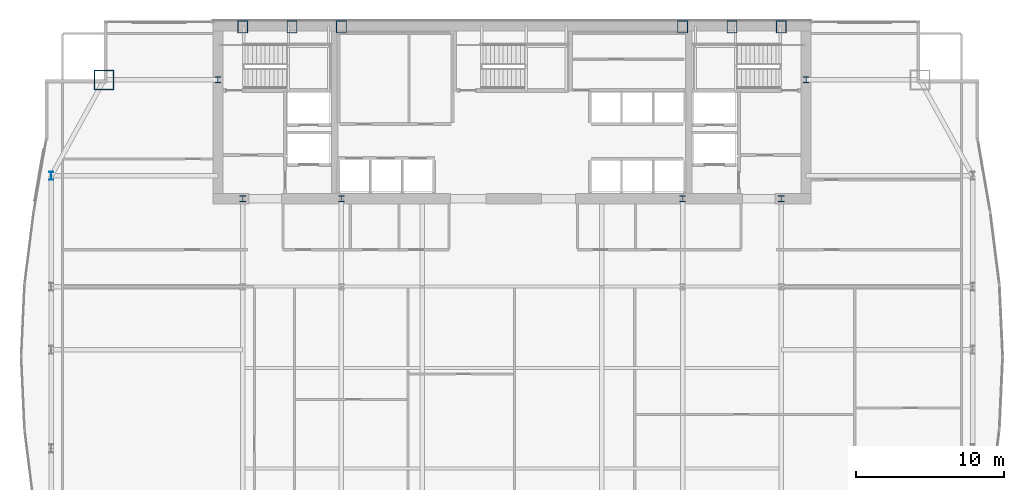
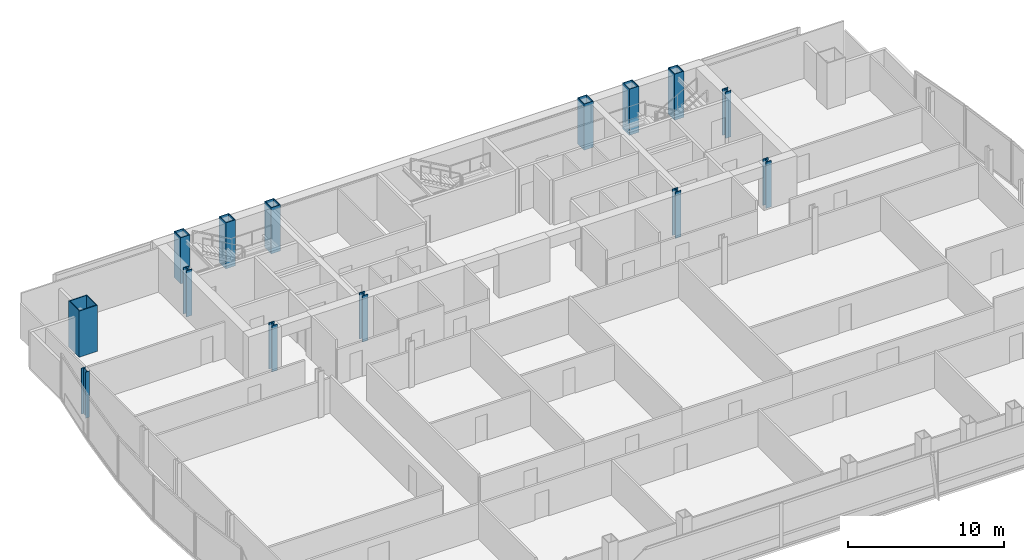
# One storey, part 3 of 29: 14 columns.
"""IFC4 building model written with IfcOpenShell, lengths in metres."""

from ifc_helpers import new_model, si_unit, direction, frame, origin, origin_2d, place, context, subcontext, project, spatial, hollow_rectangle, i_section, extrude, material, material_profile, profile_set, type_object, element, save


model = new_model("IFC4")

# Units and contexts
model_context = context("Model", 3, precision=1e-05, world=origin(), true_north=direction((0.0, 1.0)))
body_context = subcontext(model_context, "Body", "Model", "MODEL_VIEW")
ifc_project = project(units=[si_unit("LENGTHUNIT", "METRE"), si_unit("AREAUNIT", "SQUARE_METRE"), si_unit("VOLUMEUNIT", "CUBIC_METRE"), si_unit("PLANEANGLEUNIT", "RADIAN"), si_unit("MASSUNIT", "GRAM", prefix="KILO")], contexts=[model_context])

# Site, building, storey
site_placement = place(None, origin())
site = spatial("IfcSite", under=ifc_project, at=site_placement, CompositionType="ELEMENT")
building_placement = place(site_placement, origin())
building = spatial("IfcBuilding", under=site, at=building_placement, Name="Khoronbel Lancet Exchange", CompositionType="ELEMENT")
storey_placement = place(building_placement, frame((0.0, 0.0, 150.60009765625)))
storey = spatial("IfcBuildingStorey", under=building, at=storey_placement, Name="L37", CompositionType="ELEMENT", Elevation=150.60009765625)

# Columns
ifc_material_1 = material(Name="Steel S460", Category="steel")
ifc_material_profile_1 = material_profile(ifc_material_1, hollow_rectangle(XDim=0.699951171875, YDim=0.85009765625, WallThickness=0.050048828125, at=origin_2d()), Name="BOX 850x700x50")
ifc_profile_set_1 = profile_set([ifc_material_profile_1], Name="Steel S460")
column_type_1 = type_object("IfcColumnType", Name="COL-EC2", PredefinedType="COLUMN", material=ifc_profile_set_1)
for number, where, z_axis, x_axis, name in (
    (1, (18.22509765625, 53.280029296875, 0.0), (0.0, 0.0, 1.0), (1.0, 0.0, 0.0), "Structural column NC-W1 L37"),
    (2, (21.5625, 53.280029296875, 0.0), (0.0, 0.0, 1.0), (1.0, 0.0, 0.0), "Structural column NC-WM L37"),
    (3, (24.89990234375, 53.280029296875, 0.0), (0.0, 0.0, 1.0), (1.0, 0.0, 0.0), "Structural column NC-W2 L37"),
    (4, (48.0, 53.280029296875, 0.0), (0.0, 0.0, 1.0), (1.0, 0.0, 0.0), "Structural column NC-E1 L37"),
    (5, (51.33740234375, 53.280029296875, 0.0), (0.0, 0.0, 1.0), (1.0, 0.0, 0.0), "Structural column NC-EM L37"),
    (6, (54.675048828125, 53.280029296875, 0.0), (0.0, 0.0, 1.0), (1.0, 0.0, 0.0), "Structural column NC-E2 L37"),
):
    element("IfcColumn", number, at=place(storey_placement, frame(where, z_axis=z_axis, x_axis=x_axis)), inside=storey, type_object=column_type_1, Name=name, PredefinedType="COLUMN", context=body_context, shape_type="SweptSolid", body=[
        extrude(hollow_rectangle(XDim=0.699951171875, YDim=0.85009765625, WallThickness=0.050048828125, at=origin_2d()), origin(), (0.0, 0.0, 1.0), 3.599853515625),
    ])
ifc_material_profile_2 = material_profile(ifc_material_1, i_section(OverallWidth=0.416015625, OverallDepth=0.446044921875, WebThickness=0.0390625, FlangeThickness=0.062744140625, at=origin_2d()), Name="HD 400x509")
ifc_profile_set_2 = profile_set([ifc_material_profile_2], Name="Steel S460")
column_type_2 = type_object("IfcColumnType", Name="COL-IC2", PredefinedType="COLUMN", material=ifc_profile_set_2)
for number, where, z_axis, x_axis, name in (
    (7, (16.550048828125, 49.699951171875, 0.0), (0.0, 0.0, 1.0), (1.0, 0.0, 0.0), "Core-flank plumb transfer column CFW L37"),
    (8, (56.35009765625, 49.699951171875, 0.0), (0.0, 0.0, 1.0), (1.0, 0.0, 0.0), "Core-flank plumb transfer column CFE L37"),
    (9, (18.22509765625, 41.64990234375, 0.0), (0.0, 0.0, 1.0), (1.0, 0.0, 0.0), "Core-embedded steel column CTC1 L37"),
    (10, (24.89990234375, 41.64990234375, 0.0), (0.0, 0.0, 1.0), (1.0, 0.0, 0.0), "Core-embedded steel column CTC2 L37"),
    (11, (48.0, 41.64990234375, 0.0), (0.0, 0.0, 1.0), (1.0, 0.0, 0.0), "Core-embedded steel column CTC3 L37"),
    (12, (54.675048828125, 41.64990234375, 0.0), (0.0, 0.0, 1.0), (1.0, 0.0, 0.0), "Core-embedded steel column CTC4 L37"),
):
    element("IfcColumn", number, at=place(storey_placement, frame(where, z_axis=z_axis, x_axis=x_axis)), inside=storey, type_object=column_type_2, Name=name, PredefinedType="COLUMN", context=body_context, shape_type="SweptSolid", body=[
        extrude(i_section(OverallWidth=0.416015625, OverallDepth=0.446044921875, WebThickness=0.0390625, FlangeThickness=0.062744140625, at=origin_2d()), origin(), (0.0, 0.0, 1.0), 3.599853515625),
    ])
ifc_material_2 = material(Name="Steel S355", Category="steel")
ifc_material_profile_3 = material_profile(ifc_material_2, i_section(OverallWidth=0.300048828125, OverallDepth=0.550048828125, WebThickness=0.014892578125, FlangeThickness=0.029052734375, at=origin_2d()), Name="HEB 550")
ifc_profile_set_3 = profile_set([ifc_material_profile_3], Name="Steel S355")
column_type_3 = type_object("IfcColumnType", Name="COL-LC1", PredefinedType="COLUMN", material=ifc_profile_set_3)
column_1_placement = place(storey_placement, frame((5.27001953125, 43.199951171875, 0.0), z_axis=(0.0, 0.0, 1.0), x_axis=(1.0, 0.0, 0.0)))
element("IfcColumn", 13, at=column_1_placement, inside=storey, type_object=column_type_3, Name="Structural column WC-4 L37", PredefinedType="COLUMN", context=body_context, shape_type="SweptSolid", body=[
    extrude(i_section(OverallWidth=0.300048828125, OverallDepth=0.550048828125, WebThickness=0.014892578125, FlangeThickness=0.029052734375, at=origin_2d()), origin(), (0.0, 0.0, 1.0), 3.599853515625),
])
ifc_material_profile_4 = material_profile(ifc_material_1, hollow_rectangle(XDim=1.35009765625, YDim=1.35009765625, WallThickness=0.06494140625, at=origin_2d()), Name="BOX 1350x1350x65")
ifc_profile_set_4 = profile_set([ifc_material_profile_4], Name="Steel S460")
column_type_4 = type_object("IfcColumnType", Name="COL-MC4", PredefinedType="COLUMN", material=ifc_profile_set_4)
column_2_placement = place(storey_placement, frame((8.85009765625, 49.699951171875, 0.0), z_axis=(0.0, 0.0, 1.0), x_axis=(1.0, 0.0, 0.0)))
element("IfcColumn", 14, at=column_2_placement, inside=storey, type_object=column_type_4, Name="Structural column MC-NW L37", PredefinedType="COLUMN", context=body_context, shape_type="SweptSolid", body=[
    extrude(hollow_rectangle(XDim=1.35009765625, YDim=1.35009765625, WallThickness=0.06494140625, at=origin_2d()), origin(), (0.0, 0.0, 1.0), 3.599853515625),
])

save(model, "model.ifc")
